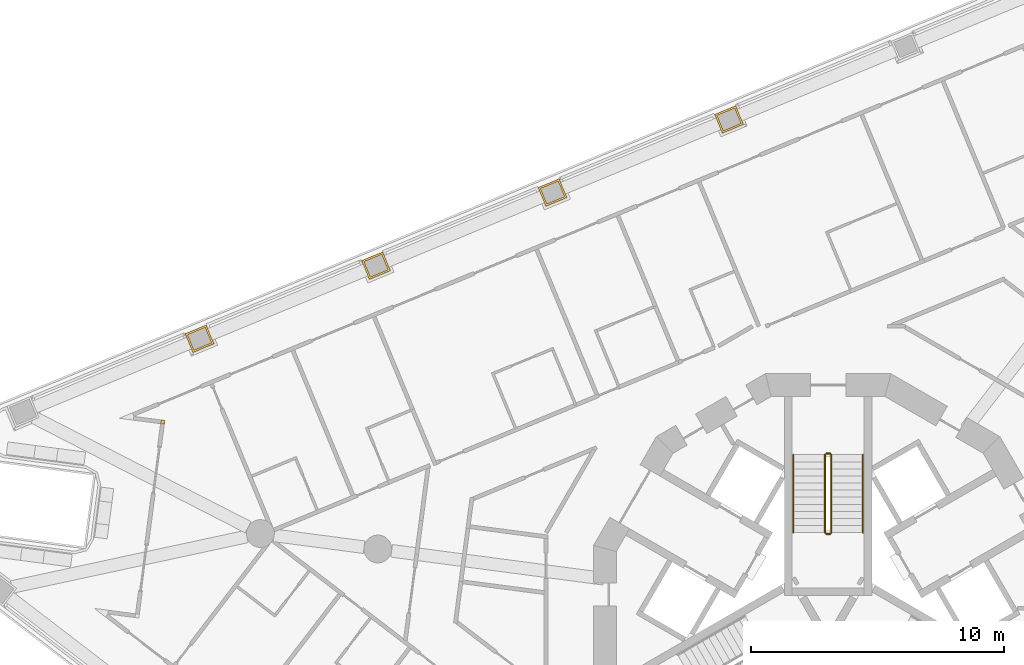
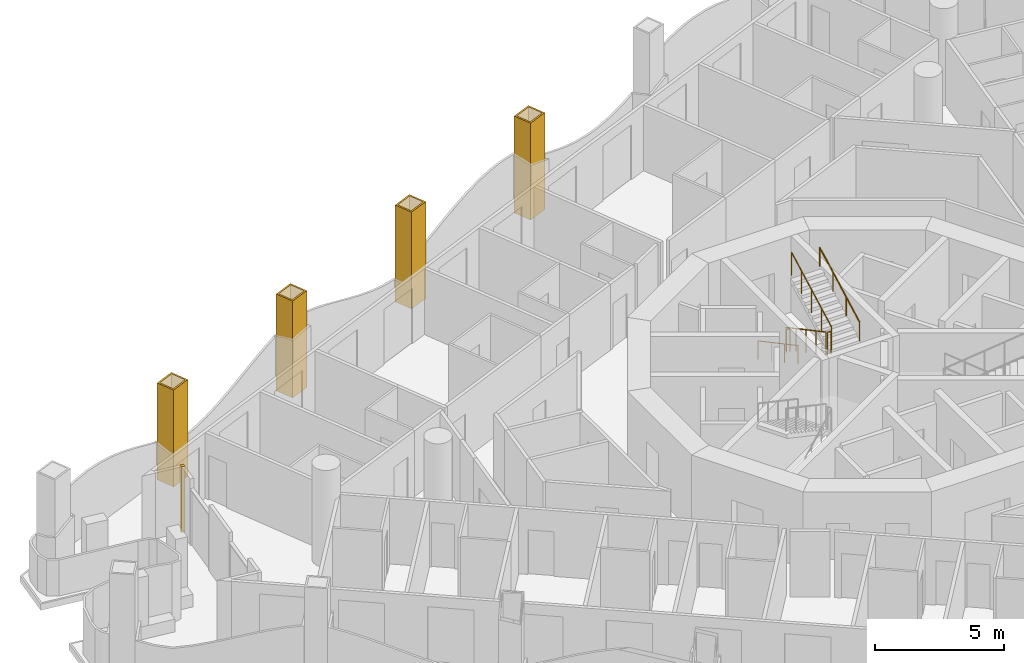
# One storey, part 15 of 17: 6 railings, 5 coverings.
"""IFC4 building model written with IfcOpenShell, lengths in metres."""

from ifc_helpers import new_model, si_unit, direction, frame, origin, origin_2d, place, context, subcontext, project, spatial, polyline, circle, outline, extrude, material, layer, layer_set, type_object, element, save


model = new_model("IFC4")

# Units and contexts
model_context = context("Model", 3, precision=1e-05, world=origin(), true_north=direction((0.0, 1.0)))
body_context = subcontext(model_context, "Body", "Model", "MODEL_VIEW")
ifc_project = project(units=[si_unit("LENGTHUNIT", "METRE"), si_unit("AREAUNIT", "SQUARE_METRE"), si_unit("VOLUMEUNIT", "CUBIC_METRE"), si_unit("PLANEANGLEUNIT", "RADIAN"), si_unit("MASSUNIT", "GRAM", prefix="KILO")], contexts=[model_context])

# Site, building, storey
site_placement = place(None, origin())
site = spatial("IfcSite", under=ifc_project, at=site_placement, CompositionType="ELEMENT")
building_placement = place(site_placement, origin())
building = spatial("IfcBuilding", under=site, at=building_placement, Name="Trine Commons Tower", CompositionType="ELEMENT")
storey_placement = place(building_placement, frame((0.0, 0.0, 153.0)))
storey = spatial("IfcBuildingStorey", under=building, at=storey_placement, Name="L39", CompositionType="ELEMENT", Elevation=153.0)

# Coverings
ifc_material_1 = material(Name="Aluminium-framed insulated wall panel", Category="aluminium")
ifc_layer_1 = layer(ifc_material_1, 0.14990234375)
ifc_layer_set_1 = layer_set([ifc_layer_1], Name="Aluminium-framed insulated wall panel")
covering_type_1 = type_object("IfcCoveringType", Name="Glazing corner post, aluminium", PredefinedType="CLADDING", material=ifc_layer_set_1)
covering_1_placement = place(storey_placement, origin())
element("IfcCovering", 1, at=covering_1_placement, inside=storey, type_object=covering_type_1, Name="Glazing corner post 4-03", PredefinedType="CLADDING", context=body_context, shape_type="SweptSolid", body=[
    extrude(outline(polyline([(53.610107421875, 69.797119140625), (53.7587890625, 69.77734375), (53.778564453125, 69.926025390625), (53.6298828125, 69.94580078125), (53.610107421875, 69.797119140625)])), origin(), (0.0, 0.0, 1.0), 3.10009765625),
])
ifc_material_2 = material(Name="Limestone, honed", Category="masonry")
ifc_layer_2 = layer(ifc_material_2, 0.074951171875)
ifc_layer_set_2 = layer_set([ifc_layer_2], Name="Limestone, honed")
covering_type_2 = type_object("IfcCoveringType", Name="Limestone column cladding 75", PredefinedType="CLADDING", material=ifc_layer_set_2)
covering_2_placement = place(storey_placement, origin())
element("IfcCovering", 2, at=covering_2_placement, inside=storey, type_object=covering_type_2, Name="Limestone pier cladding 4-10", PredefinedType="CLADDING", context=body_context, shape_type="SweptSolid", body=[
    extrude(outline(polyline([(55.719970703125, 72.957763671875), (55.413818359375, 73.69677734375), (54.582275390625, 73.352294921875), (54.888427734375, 72.61328125), (55.719970703125, 72.957763671875)]), holes=[polyline([(55.621826171875, 72.998291015625), (55.373291015625, 73.598876953125), (54.680419921875, 73.311767578125), (54.928955078125, 72.711181640625), (55.621826171875, 72.998291015625)])]), origin(), (0.0, 0.0, 1.0), 4.565185546875),
])
covering_3_placement = place(storey_placement, origin())
element("IfcCovering", 3, at=covering_3_placement, inside=storey, type_object=covering_type_2, Name="Limestone pier cladding 4-11", PredefinedType="CLADDING", context=body_context, shape_type="SweptSolid", body=[
    extrude(outline(polyline([(62.697021484375, 75.84765625), (62.390869140625, 76.5869140625), (61.559326171875, 76.2421875), (61.865478515625, 75.503173828125), (62.697021484375, 75.84765625)]), holes=[polyline([(62.59912109375, 75.88818359375), (62.350341796875, 76.48876953125), (61.657470703125, 76.201904296875), (61.906005859375, 75.601318359375), (62.59912109375, 75.88818359375)])]), origin(), (0.0, 0.0, 1.0), 4.565185546875),
])
covering_4_placement = place(storey_placement, origin())
element("IfcCovering", 4, at=covering_4_placement, inside=storey, type_object=covering_type_2, Name="Limestone pier cladding 4-12", PredefinedType="CLADDING", context=body_context, shape_type="SweptSolid", body=[
    extrude(outline(polyline([(69.674072265625, 78.73779296875), (69.367919921875, 79.476806640625), (68.53662109375, 79.13232421875), (68.842529296875, 78.393310546875), (69.674072265625, 78.73779296875)]), holes=[polyline([(69.576171875, 78.7783203125), (69.327392578125, 79.37890625), (68.634521484375, 79.091796875), (68.88330078125, 78.4912109375), (69.576171875, 78.7783203125)])]), origin(), (0.0, 0.0, 1.0), 4.565185546875),
])
covering_5_placement = place(storey_placement, origin())
element("IfcCovering", 5, at=covering_5_placement, inside=storey, type_object=covering_type_2, Name="Limestone pier cladding 4-13", PredefinedType="CLADDING", context=body_context, shape_type="SweptSolid", body=[
    extrude(outline(polyline([(76.651123046875, 81.627685546875), (76.34521484375, 82.366943359375), (75.513671875, 82.0224609375), (75.819580078125, 81.283203125), (76.651123046875, 81.627685546875)]), holes=[polyline([(76.55322265625, 81.668212890625), (76.304443359375, 82.268798828125), (75.611572265625, 81.98193359375), (75.8603515625, 81.38134765625), (76.55322265625, 81.668212890625)])]), origin(), (0.0, 0.0, 1.0), 4.565185546875),
])

# Railings
ifc_material_3 = material(Name="Stainless steel balustrade", Category="steel")
railing_type_1 = type_object("IfcRailingType", Name="Stair guard, steel balustrade 1100", PredefinedType="GUARDRAIL", material=ifc_material_3)
railing_1_placement = place(storey_placement, frame((79.875, 68.570556640625, 0.14990234375)))
element("IfcRailing", 6, at=railing_1_placement, inside=storey, type_object=railing_type_1, Name="L39 ST1B stair guard 1", PredefinedType="GUARDRAIL", context=body_context, shape_type="SweptSolid", body=[
    extrude(circle(Radius=0.02392578125, at=origin_2d()), frame((0.0, 0.0, 1.076171875), z_axis=(0.0, -0.881467505477, 0.472244678941), x_axis=(1.0, 0.0, 0.0)), (0.0, 0.0, 1.0), 3.494140625),
    extrude(circle(Radius=0.02099609375, at=origin_2d()), origin(), (0.0, 0.0, 1.0), 1.052001953125),
    extrude(circle(Radius=0.02099609375, at=origin_2d()), frame((0.0, -0.77001953125, 0.41259765625)), (0.0, 0.0, 1.0), 1.052001953125),
    extrude(circle(Radius=0.02099609375, at=origin_2d()), frame((0.0, -1.5400390625, 0.8251953125)), (0.0, 0.0, 1.0), 1.052001953125),
    extrude(circle(Radius=0.02099609375, at=origin_2d()), frame((0.0, -2.31005859375, 1.237548828125)), (0.0, 0.0, 1.0), 1.052001953125),
    extrude(circle(Radius=0.02099609375, at=origin_2d()), frame((0.0, -3.080078125, 1.650146484375)), (0.0, 0.0, 1.0), 1.052001953125),
])
railing_2_placement = place(storey_placement, frame((79.925048828125, 65.440673828125, 1.800048828125)))
element("IfcRailing", 7, at=railing_2_placement, inside=storey, type_object=railing_type_1, Name="L39 ST1B stair guard 2", PredefinedType="GUARDRAIL", context=body_context, shape_type="SweptSolid", body=[
    extrude(circle(Radius=0.02392578125, at=origin_2d()), frame((0.0, 0.0, 1.076171875), z_axis=(1.0, 0.0, 0.0), x_axis=(0.0, 1.0, 0.0)), (0.0, 0.0, 1.0), 0.14990234375),
    extrude(circle(Radius=0.02099609375, at=origin_2d()), origin(), (0.0, 0.0, 1.0), 1.052001953125),
    extrude(circle(Radius=0.02099609375, at=origin_2d()), frame((0.14990234375, 0.0, 0.0)), (0.0, 0.0, 1.0), 1.052001953125),
])
railing_3_placement = place(storey_placement, frame((80.125, 65.490478515625, 1.949951171875)))
element("IfcRailing", 8, at=railing_3_placement, inside=storey, type_object=railing_type_1, Name="L39 ST1B stair guard 3", PredefinedType="GUARDRAIL", context=body_context, shape_type="SweptSolid", body=[
    extrude(circle(Radius=0.02392578125, at=origin_2d()), frame((0.0, 0.0, 1.076171875), z_axis=(0.0, 0.881467505477, 0.472244678941), x_axis=(-1.0, 0.0, 0.0)), (0.0, 0.0, 1.0), 3.494140625),
    extrude(circle(Radius=0.02099609375, at=origin_2d()), origin(), (0.0, 0.0, 1.0), 1.052001953125),
    extrude(circle(Radius=0.02099609375, at=origin_2d()), frame((0.0, 0.77001953125, 0.41259765625)), (0.0, 0.0, 1.0), 1.052001953125),
    extrude(circle(Radius=0.02099609375, at=origin_2d()), frame((0.0, 1.5400390625, 0.8251953125)), (0.0, 0.0, 1.0), 1.052001953125),
    extrude(circle(Radius=0.02099609375, at=origin_2d()), frame((0.0, 2.31005859375, 1.237548828125)), (0.0, 0.0, 1.0), 1.052001953125),
    extrude(circle(Radius=0.02099609375, at=origin_2d()), frame((0.0, 3.080078125, 1.650146484375)), (0.0, 0.0, 1.0), 1.052001953125),
])
railing_4_placement = place(storey_placement, frame((79.925048828125, 68.62060546875, 0.0)))
element("IfcRailing", 9, at=railing_4_placement, inside=storey, type_object=railing_type_1, Name="L39 ST1B stair guard 4", PredefinedType="GUARDRAIL", context=body_context, shape_type="SweptSolid", body=[
    extrude(circle(Radius=0.02392578125, at=origin_2d()), frame((0.0, 0.0, 1.076171875), z_axis=(1.0, 0.0, 0.0), x_axis=(0.0, 1.0, 0.0)), (0.0, 0.0, 1.0), 0.14990234375),
    extrude(circle(Radius=0.02099609375, at=origin_2d()), origin(), (0.0, 0.0, 1.0), 1.052001953125),
    extrude(circle(Radius=0.02099609375, at=origin_2d()), frame((0.14990234375, 0.0, 0.0)), (0.0, 0.0, 1.0), 1.052001953125),
])
ifc_material_4 = material(Name="Stainless steel handrail", Category="steel")
railing_type_2 = type_object("IfcRailingType", Name="Stair handrail, steel 900", PredefinedType="HANDRAIL", material=ifc_material_4)
railing_5_placement = place(storey_placement, frame((78.625, 68.570556640625, 0.14990234375)))
element("IfcRailing", 10, at=railing_5_placement, inside=storey, type_object=railing_type_2, Name="L39 ST1B stair handrail 1", PredefinedType="HANDRAIL", context=body_context, shape_type="SweptSolid", body=[
    extrude(circle(Radius=0.02099609375, at=origin_2d()), frame((0.0, 0.0, 0.87890625), z_axis=(0.0, -0.881467505477, 0.472244678941), x_axis=(1.0, 0.0, 0.0)), (0.0, 0.0, 1.0), 3.494140625),
    extrude(circle(Radius=0.01513671875, at=origin_2d()), origin(), (0.0, 0.0, 1.0), 0.85791015625),
    extrude(circle(Radius=0.01513671875, at=origin_2d()), frame((0.0, -1.026611328125, 0.550048828125)), (0.0, 0.0, 1.0), 0.85791015625),
    extrude(circle(Radius=0.01513671875, at=origin_2d()), frame((0.0, -2.053466796875, 1.10009765625)), (0.0, 0.0, 1.0), 0.85791015625),
    extrude(circle(Radius=0.01513671875, at=origin_2d()), frame((0.0, -3.080078125, 1.650146484375)), (0.0, 0.0, 1.0), 0.85791015625),
])
railing_6_placement = place(storey_placement, frame((81.375, 65.490478515625, 1.949951171875)))
element("IfcRailing", 11, at=railing_6_placement, inside=storey, type_object=railing_type_2, Name="L39 ST1B stair handrail 2", PredefinedType="HANDRAIL", context=body_context, shape_type="SweptSolid", body=[
    extrude(circle(Radius=0.02099609375, at=origin_2d()), frame((0.0, 0.0, 0.87890625), z_axis=(0.0, 0.881467505477, 0.472244678941), x_axis=(-1.0, 0.0, 0.0)), (0.0, 0.0, 1.0), 3.494140625),
    extrude(circle(Radius=0.01513671875, at=origin_2d()), origin(), (0.0, 0.0, 1.0), 0.85791015625),
    extrude(circle(Radius=0.01513671875, at=origin_2d()), frame((0.0, 1.026611328125, 0.550048828125)), (0.0, 0.0, 1.0), 0.85791015625),
    extrude(circle(Radius=0.01513671875, at=origin_2d()), frame((0.0, 2.053466796875, 1.10009765625)), (0.0, 0.0, 1.0), 0.85791015625),
    extrude(circle(Radius=0.01513671875, at=origin_2d()), frame((0.0, 3.080078125, 1.650146484375)), (0.0, 0.0, 1.0), 0.85791015625),
])

save(model, "model.ifc")
